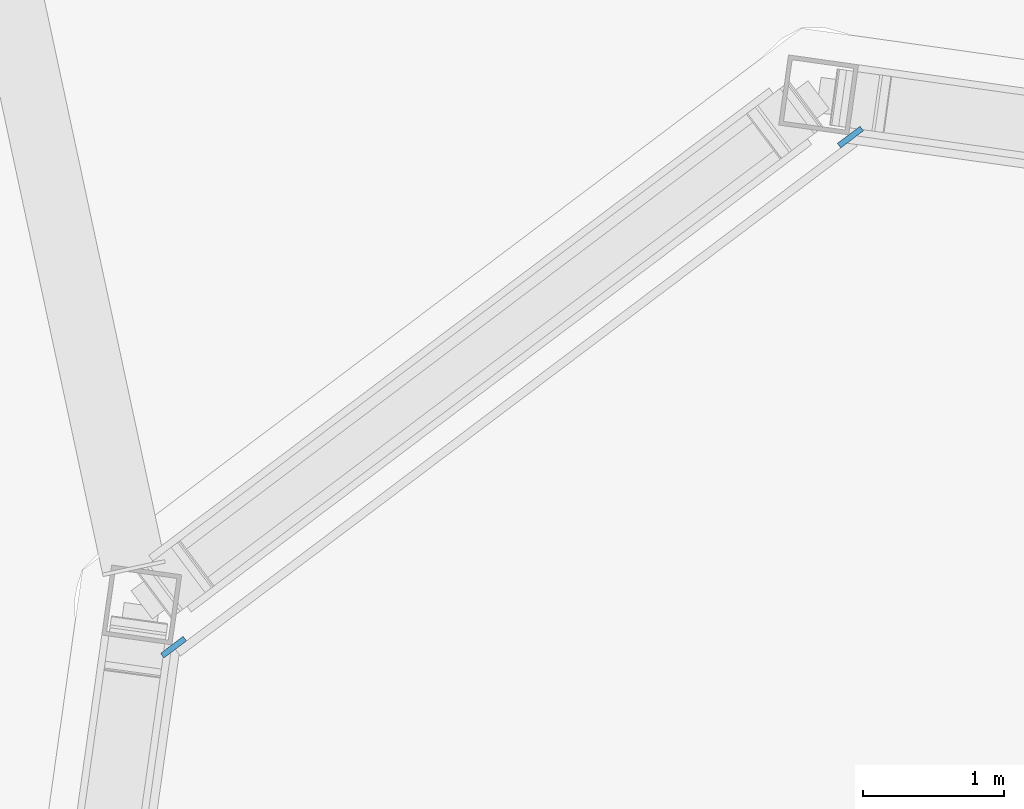
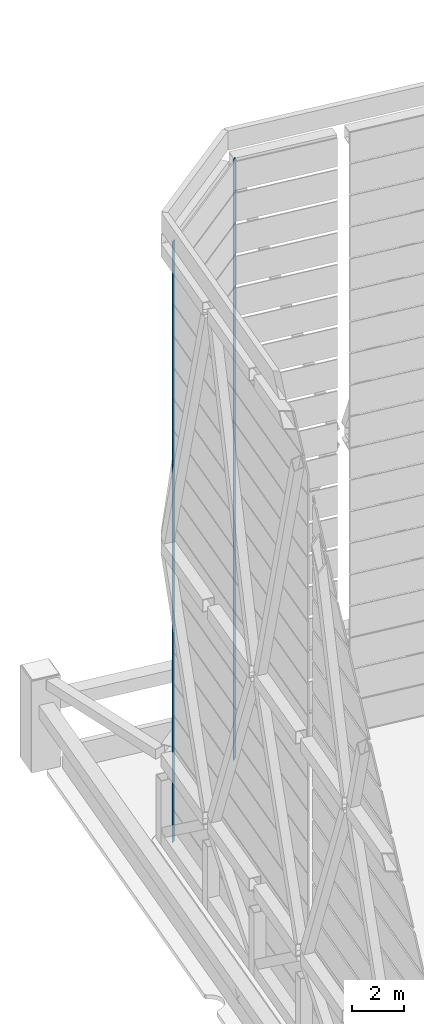
# One storey, part 24 of 45: 2 discrete accessories.
"""IFC4 building model written with IfcOpenShell, lengths in metres."""

from ifc_helpers import new_model, si_unit, direction, frame, origin, origin_2d, place, context, subcontext, project, spatial, rectangle, extrude, material, layer, layer_set, type_object, element, save


model = new_model("IFC4")

# Units and contexts
model_context = context("Model", 3, precision=1e-05, world=origin(), true_north=direction((0.0, 1.0)))
body_context = subcontext(model_context, "Body", "Model", "MODEL_VIEW")
ifc_project = project(units=[si_unit("LENGTHUNIT", "METRE"), si_unit("AREAUNIT", "SQUARE_METRE"), si_unit("VOLUMEUNIT", "CUBIC_METRE"), si_unit("PLANEANGLEUNIT", "RADIAN"), si_unit("MASSUNIT", "GRAM", prefix="KILO")], contexts=[model_context])

# Site, building, storey
site_placement = place(None, origin())
site = spatial("IfcSite", under=ifc_project, at=site_placement, CompositionType="ELEMENT")
building_placement = place(site_placement, origin())
building = spatial("IfcBuilding", under=site, at=building_placement, Name="Mirante Cascada Hotel Towers", CompositionType="ELEMENT")
storey_placement = place(building_placement, frame((0.0, 0.0, 269.8)))
storey = spatial("IfcBuildingStorey", under=building, at=storey_placement, Name="Roof garden", CompositionType="ELEMENT", Elevation=269.8)

# Discrete accessories
ifc_material = material(Name="Stainless steel AISI 316", Category="steel")
ifc_layer = layer(ifc_material, 0.04)
ifc_layer_set = layer_set([ifc_layer], Name="Support bracket 200x40")
discrete_accessory_type = type_object("IfcDiscreteAccessoryType", Name="Support bracket 200x40", PredefinedType="BRACKET", material=ifc_layer_set)
for number, where, z_axis, x_axis, name in (
    (1, (-49.29, 19.1766, 0.05), (0.0, 0.0, 1.0), (-0.7986355, -0.601815, 0.0), "Louvre support bracket T1"),
    (2, (-54.0747, 15.571, 0.05), (0.0, 0.0, 1.0), (-0.7986355, -0.601815, 0.0), "Louvre support bracket T1"),
):
    element("IfcDiscreteAccessory", number, at=place(storey_placement, frame(where, z_axis=z_axis, x_axis=x_axis)), inside=storey, type_object=discrete_accessory_type, Name=name, PredefinedType="BRACKET", context=body_context, shape_type="SweptSolid", body=[
        extrude(rectangle(XDim=0.2, YDim=0.04, at=origin_2d()), origin(), (0.0, 0.0, 1.0), 28.2),
    ])

save(model, "model.ifc")
